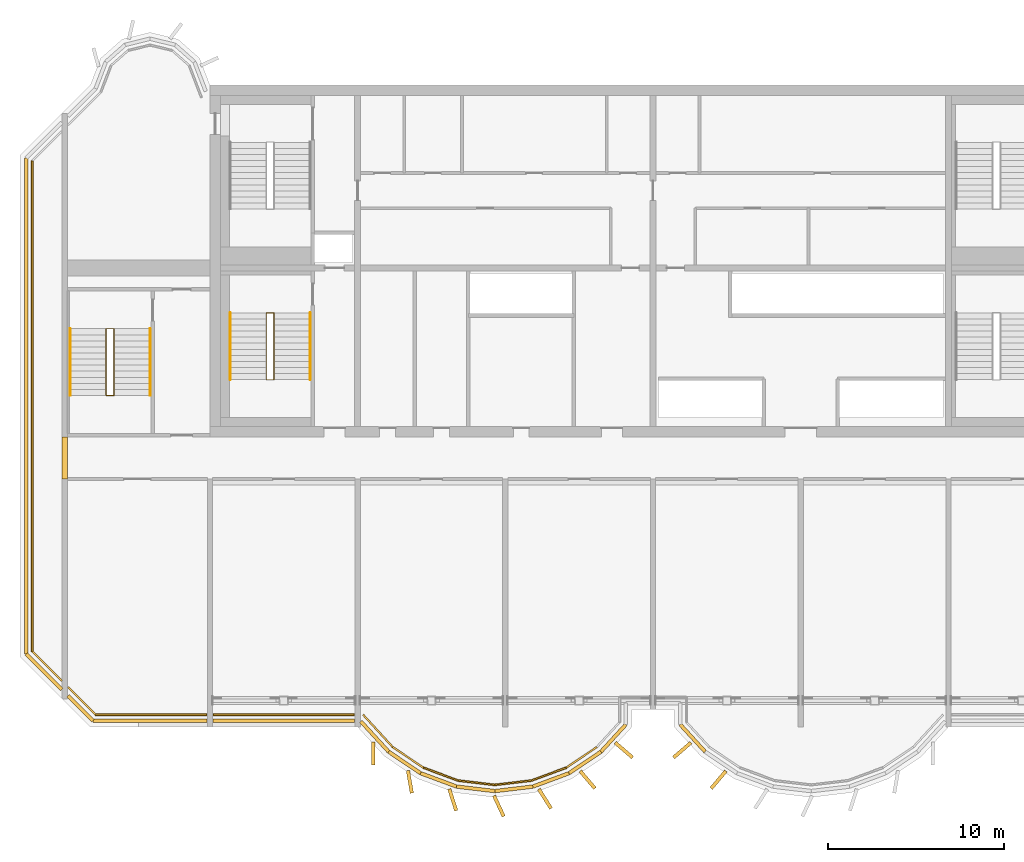
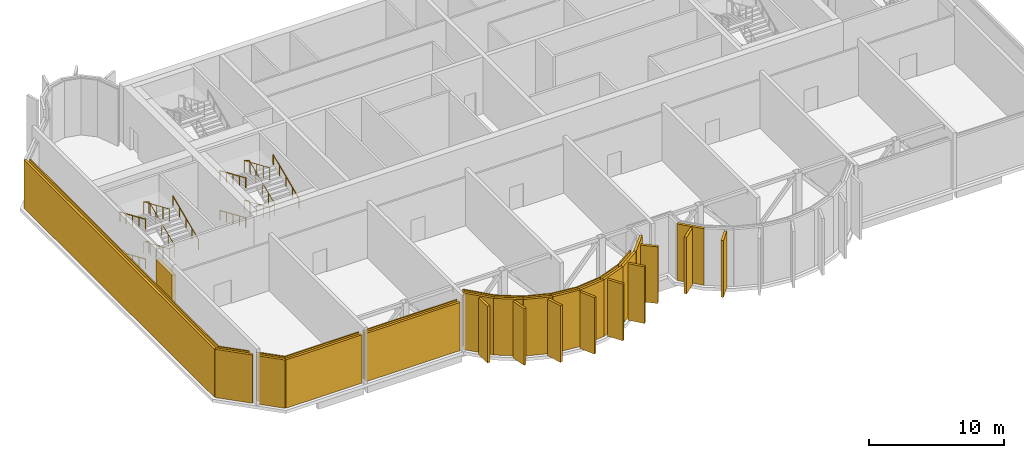
# One storey, part 8 of 11: 21 coverings, 15 shading devices, 8 railings.
"""IFC4 building model written with IfcOpenShell, lengths in metres."""

from ifc_helpers import new_model, si_unit, direction, frame, origin, origin_2d, place, context, subcontext, project, spatial, rectangle, circle, extrude, source, transform, mapped, material, layer, layer_set, material_profile, profile_set, type_object, element, save


model = new_model("IFC4")

# Units and contexts
model_context = context("Model", 3, precision=1e-05, world=origin(), true_north=direction((0.0, 1.0)))
body_context = subcontext(model_context, "Body", "Model", "MODEL_VIEW")
ifc_project = project(units=[si_unit("LENGTHUNIT", "METRE"), si_unit("AREAUNIT", "SQUARE_METRE"), si_unit("VOLUMEUNIT", "CUBIC_METRE"), si_unit("PLANEANGLEUNIT", "RADIAN"), si_unit("MASSUNIT", "GRAM", prefix="KILO")], contexts=[model_context])

# Site, building, storey
site_placement = place(None, origin())
site = spatial("IfcSite", under=ifc_project, at=site_placement, CompositionType="ELEMENT")
building_placement = place(site_placement, origin())
building = spatial("IfcBuilding", under=site, at=building_placement, Name="Vanashikhar Sky Hotel", CompositionType="ELEMENT")
storey_placement = place(building_placement, frame((0.0, 0.0, 264.699951171875)))
storey = spatial("IfcBuildingStorey", under=building, at=storey_placement, Name="L64", CompositionType="ELEMENT", Elevation=264.699951171875)

# Shading devices
ifc_material_1 = material(Name="Aluminium", Category="aluminium")
ifc_layer_1 = layer(ifc_material_1, 0.199951171875)
ifc_layer_set_1 = layer_set([ifc_layer_1], Name="Aluminium louvre band")
shading_device_type = type_object("IfcShadingDeviceType", Name="Aluminium louvre band", PredefinedType="USERDEFINED", material=ifc_layer_set_1)
shared_shape_1 = source(origin(), body_context, "Body", "SweptSolid", [
    extrude(rectangle(XDim=2.1875, YDim=0.199951171875, at=origin_2d()), origin(), (0.0, 0.0, 1.0), 5.1201171875),
])
for number, where, z_axis, x_axis, name in (
    (1, (36.2705078125, 3.482421875, 0.0), (0.0, 0.0, 1.0), (0.829583722896, -0.558382348132, 0.0), "Louvre band"),
    (2, (38.203125, 2.4912109375, 0.0), (0.0, 0.0, 1.0), (0.937537254303, -0.347884890149, 0.0), "Louvre band"),
    (3, (44.5966796875, 2.4912109375, 0.0), (0.0, 0.0, 1.0), (0.937537254303, 0.347884890149, 0.0), "Louvre band"),
    (4, (46.529541015625, 3.482421875, 0.0), (0.0, 0.0, 1.0), (0.829583722896, 0.558382348132, 0.0), "Louvre band"),
):
    element("IfcShadingDevice", number, at=place(storey_placement, frame(where, z_axis=z_axis, x_axis=x_axis)), inside=storey, type_object=shading_device_type, Name=name, ObjectType="LOUVRE", PredefinedType="USERDEFINED", context=body_context, shape_type="MappedRepresentation", body=[
        mapped(shared_shape_1, transform((0.0, 0.0, 0.0), scale=1.0)),
    ])
shared_shape_2 = source(origin(), body_context, "Body", "SweptSolid", [
    extrude(rectangle(XDim=2.1865234375, YDim=0.199951171875, at=origin_2d()), origin(), (0.0, 0.0, 1.0), 5.1201171875),
])
for number, where, z_axis, x_axis, name in (
    (5, (40.314453125, 1.9814453125, 0.0), (0.0, 0.0, 1.0), (0.993008838731, -0.118040019495, 0.0), "Louvre band"),
    (6, (42.485595703125, 1.9814453125, 0.0), (0.0, 0.0, 1.0), (0.993008838731, 0.118040019495, 0.0), "Louvre band"),
):
    element("IfcShadingDevice", number, at=place(storey_placement, frame(where, z_axis=z_axis, x_axis=x_axis)), inside=storey, type_object=shading_device_type, Name=name, ObjectType="LOUVRE", PredefinedType="USERDEFINED", context=body_context, shape_type="MappedRepresentation", body=[
        mapped(shared_shape_2, transform((0.0, 0.0, 0.0), scale=1.0)),
    ])
shared_shape_3 = source(origin(), body_context, "Body", "SweptSolid", [
    extrude(rectangle(XDim=2.09228515625, YDim=0.199951171875, at=origin_2d()), origin(), (0.0, 0.0, 1.0), 5.1201171875),
])
for number, where, z_axis, x_axis, name in (
    (7, (48.1435546875, 4.864501953125, 0.0), (0.0, 0.0, 1.0), (0.675384294604, 0.737465968437, 0.0), "Louvre band"),
    (8, (52.656494140625, 4.864501953125, 0.0), (0.0, 0.0, 1.0), (0.675384294604, -0.737465968437, 0.0), "Louvre band"),
):
    element("IfcShadingDevice", number, at=place(storey_placement, frame(where, z_axis=z_axis, x_axis=x_axis)), inside=storey, type_object=shading_device_type, Name=name, ObjectType="LOUVRE", PredefinedType="USERDEFINED", context=body_context, shape_type="MappedRepresentation", body=[
        mapped(shared_shape_3, transform((0.0, 0.0, 0.0), scale=1.0)),
    ])

# Coverings
ifc_material_2 = material(Name="Concrete M40", Category="concrete")
ifc_layer_2 = layer(ifc_material_2, 0.10009765625)
ifc_layer_set_2 = layer_set([ifc_layer_2], Name="Plant floor cladding panel")
covering_type_1 = type_object("IfcCoveringType", Name="Plant floor cladding panel", PredefinedType="CLADDING", material=ifc_layer_set_2)
shared_shape_4 = source(origin(), body_context, "Body", "SweptSolid", [
    extrude(rectangle(XDim=2.49462890625, YDim=0.10009765625, at=origin_2d()), origin(), (0.0, 0.0, 1.0), 5.1201171875),
])
covering_1_placement = place(storey_placement, frame((34.75048828125, 5.280029296875, 0.0), z_axis=(0.0, 0.0, 1.0), x_axis=(0.675384294604, -0.737465968437, 0.0)))
element("IfcCovering", 9, at=covering_1_placement, inside=storey, type_object=covering_type_1, Name="Plant floor cladding panel", PredefinedType="CLADDING", context=body_context, shape_type="MappedRepresentation", body=[
    mapped(shared_shape_4, transform((0.0, 0.0, 0.0), scale=1.0)),
])
shared_shape_5 = source(origin(), body_context, "Body", "SweptSolid", [
    extrude(rectangle(XDim=2.104248046875, YDim=0.10009765625, at=origin_2d()), origin(), (0.0, 0.0, 1.0), 5.1201171875),
])
for number, where, z_axis, x_axis, name in (
    (10, (36.4658203125, 3.772705078125, 0.0), (0.0, 0.0, 1.0), (0.829603213612, -0.558353389857, 0.0), "Plant floor cladding panel"),
    (11, (46.334228515625, 3.772705078125, 0.0), (0.0, 0.0, 1.0), (0.829603213612, 0.558353389857, 0.0), "Plant floor cladding panel"),
):
    element("IfcCovering", number, at=place(storey_placement, frame(where, z_axis=z_axis, x_axis=x_axis)), inside=storey, type_object=covering_type_1, Name=name, PredefinedType="CLADDING", context=body_context, shape_type="MappedRepresentation", body=[
        mapped(shared_shape_5, transform((0.0, 0.0, 0.0), scale=1.0)),
    ])
shared_shape_6 = source(origin(), body_context, "Body", "SweptSolid", [
    extrude(rectangle(XDim=2.10400390625, YDim=0.10009765625, at=origin_2d()), origin(), (0.0, 0.0, 1.0), 5.1201171875),
])
for number, where, z_axis, x_axis, name in (
    (12, (38.3251953125, 2.8193359375, 0.0), (0.0, 0.0, 1.0), (0.937537254303, -0.347884890149, 0.0), "Plant floor cladding panel"),
    (13, (44.474853515625, 2.8193359375, 0.0), (0.0, 0.0, 1.0), (0.937537254303, 0.347884890149, 0.0), "Plant floor cladding panel"),
):
    element("IfcCovering", number, at=place(storey_placement, frame(where, z_axis=z_axis, x_axis=x_axis)), inside=storey, type_object=covering_type_1, Name=name, PredefinedType="CLADDING", context=body_context, shape_type="MappedRepresentation", body=[
        mapped(shared_shape_6, transform((0.0, 0.0, 0.0), scale=1.0)),
    ])
shared_shape_7 = source(origin(), body_context, "Body", "SweptSolid", [
    extrude(rectangle(XDim=2.103271484375, YDim=0.10009765625, at=origin_2d()), origin(), (0.0, 0.0, 1.0), 5.1201171875),
])
for number, where, z_axis, x_axis, name in (
    (14, (40.355712890625, 2.3291015625, 0.0), (0.0, 0.0, 1.0), (0.993002656809, -0.118092013154, 0.0), "Plant floor cladding panel"),
    (15, (42.4443359375, 2.3291015625, 0.0), (0.0, 0.0, 1.0), (0.993002656809, 0.118092013154, 0.0), "Plant floor cladding panel"),
):
    element("IfcCovering", number, at=place(storey_placement, frame(where, z_axis=z_axis, x_axis=x_axis)), inside=storey, type_object=covering_type_1, Name=name, PredefinedType="CLADDING", context=body_context, shape_type="MappedRepresentation", body=[
        mapped(shared_shape_7, transform((0.0, 0.0, 0.0), scale=1.0)),
    ])
ifc_material_3 = material(Name="Concrete M60 dark", Category="concrete")
ifc_material_profile = material_profile(ifc_material_3, rectangle(XDim=1.300048828125, YDim=0.199951171875, at=origin_2d()))
ifc_profile_set = profile_set([ifc_material_profile], Name="Fin 1300 x 200")
covering_type_2 = type_object("IfcCoveringType", Name="Fin 1300 x 200", PredefinedType="CLADDING", material=ifc_profile_set)
shared_shape_8 = source(origin(), body_context, "Body", "SweptSolid", [
    extrude(rectangle(XDim=1.300048828125, YDim=0.199951171875, at=origin_2d()), origin(), (0.0, 0.0, 1.0), 5.1201171875),
])
for number, where, z_axis, x_axis, name in (
    (16, (34.482421875, 3.992919921875, 0.0), (0.0, 0.0, 1.0), (0.011588726826, -0.999932848451, 0.0), "Fin F1-1"),
    (17, (36.572509765625, 2.3779296875, 0.0), (0.0, 0.0, 1.0), (0.16989991575, -0.985461322746, 0.0), "Fin F1-2"),
    (18, (39.00830078125, 1.35693359375, 0.0), (0.0, 0.0, 1.0), (0.303966551867, -0.952682704444, 0.0), "Fin F1-3"),
    (19, (41.63232421875, 1.00146484375, 0.0), (0.0, 0.0, 1.0), (0.422618261741, -0.906307787037, 0.0), "Fin F1-4"),
    (20, (44.251953125, 1.416015625, 0.0), (0.0, 0.0, 1.0), (0.534411358496, -0.845224526331, 0.0), "Fin F1-5"),
    (21, (46.676025390625, 2.5, 0.0), (0.0, 0.0, 1.0), (0.645697609467, -0.763593214433, 0.0), "Fin F1-6"),
    (22, (48.7412109375, 4.1845703125, 0.0), (0.0, 0.0, 1.0), (0.758543912032, -0.65162192529, 0.0), "Fin F1-7"),
    (23, (52.058837890625, 4.1845703125, 0.0), (0.0, 0.0, 1.0), (-0.758543912032, -0.65162192529, 0.0), "Fin F2-1"),
    (24, (54.123779296875, 2.5, 0.0), (0.0, 0.0, 1.0), (-0.645697609467, -0.763593214433, 0.0), "Fin F2-2"),
):
    element("IfcCovering", number, at=place(storey_placement, frame(where, z_axis=z_axis, x_axis=x_axis)), inside=storey, type_object=covering_type_2, Name=name, PredefinedType="CLADDING", context=body_context, shape_type="MappedRepresentation", body=[
        mapped(shared_shape_8, transform((0.0, 0.0, 0.0), scale=1.0)),
    ])

# Shading devices
shared_shape_9 = source(origin(), body_context, "Body", "SweptSolid", [
    extrude(rectangle(XDim=8.0400390625, YDim=0.199951171875, at=origin_2d()), origin(), (0.0, 0.0, 1.0), 4.3701171875),
])
shading_device_1_placement = place(storey_placement, frame((29.39990234375, 5.85009765625, 0.0), z_axis=(0.0, 0.0, 1.0), x_axis=(1.0, 0.0, 0.0)))
element("IfcShadingDevice", 25, at=shading_device_1_placement, inside=storey, type_object=shading_device_type, Name="Louvre band", ObjectType="LOUVRE", PredefinedType="USERDEFINED", context=body_context, shape_type="MappedRepresentation", body=[
    mapped(shared_shape_9, transform((0.0, 0.0, 0.0), scale=1.0)),
])
shared_shape_10 = source(origin(), body_context, "Body", "SweptSolid", [
    extrude(rectangle(XDim=2.343994140625, YDim=0.199951171875, at=origin_2d()), origin(), (0.0, 0.0, 1.0), 5.1201171875),
])
shading_device_2_placement = place(storey_placement, frame((34.571533203125, 4.95751953125, 0.0), z_axis=(0.0, 0.0, 1.0), x_axis=(0.675358551774, -0.737489543347, 0.0)))
element("IfcShadingDevice", 26, at=shading_device_2_placement, inside=storey, type_object=shading_device_type, Name="Louvre band", ObjectType="LOUVRE", PredefinedType="USERDEFINED", context=body_context, shape_type="MappedRepresentation", body=[
    mapped(shared_shape_10, transform((0.0, 0.0, 0.0), scale=1.0)),
])

# Covering
shared_shape_11 = source(origin(), body_context, "Body", "SweptSolid", [
    extrude(rectangle(XDim=8.0400390625, YDim=0.10009765625, at=origin_2d()), origin(), (0.0, 0.0, 1.0), 4.3701171875),
])
covering_2_placement = place(storey_placement, frame((29.39990234375, 6.199951171875, 0.0), z_axis=(0.0, 0.0, 1.0), x_axis=(1.0, 0.0, 0.0)))
element("IfcCovering", 27, at=covering_2_placement, inside=storey, type_object=covering_type_1, Name="Plant floor cladding panel", PredefinedType="CLADDING", context=body_context, shape_type="MappedRepresentation", body=[
    mapped(shared_shape_11, transform((0.0, 0.0, 0.0), scale=1.0)),
])

# Shading devices
shared_shape_12 = source(origin(), body_context, "Body", "SweptSolid", [
    extrude(rectangle(XDim=0.300048828125, YDim=2.39990234375, at=origin_2d()), origin(), (0.0, 0.0, 1.0), 4.219970703125),
])
shading_device_3_placement = place(storey_placement, frame((16.949951171875, 20.800048828125, 0.0), z_axis=(0.0, 0.0, 1.0), x_axis=(1.0, 0.0, 0.0)))
element("IfcShadingDevice", 28, at=shading_device_3_placement, inside=storey, type_object=shading_device_type, Name="Louvre band", ObjectType="LOUVRE", PredefinedType="USERDEFINED", context=body_context, shape_type="MappedRepresentation", body=[
    mapped(shared_shape_12, transform((0.0, 0.0, 0.0), scale=1.0)),
])
shared_shape_13 = source(origin(), body_context, "Body", "SweptSolid", [
    extrude(rectangle(XDim=6.47509765625, YDim=0.199951171875, at=origin_2d()), origin(), (0.0, 0.0, 1.0), 4.3701171875),
])
shading_device_4_placement = place(storey_placement, frame((21.782470703125, 5.85009765625, 0.0), z_axis=(0.0, 0.0, 1.0), x_axis=(1.0, 0.0, 0.0)))
element("IfcShadingDevice", 29, at=shading_device_4_placement, inside=storey, type_object=shading_device_type, Name="Louvre band", ObjectType="LOUVRE", PredefinedType="USERDEFINED", context=body_context, shape_type="MappedRepresentation", body=[
    mapped(shared_shape_13, transform((0.0, 0.0, 0.0), scale=1.0)),
])
shared_shape_14 = source(origin(), body_context, "Body", "SweptSolid", [
    extrude(rectangle(XDim=2.001220703125, YDim=0.199951171875, at=origin_2d()), origin(), (0.0, 0.0, 1.0), 4.3701171875),
])
shading_device_5_placement = place(storey_placement, frame((17.83740234375, 6.5576171875, 0.0), z_axis=(0.0, 0.0, 1.0), x_axis=(0.707106781187, -0.707106781187, 0.0)))
element("IfcShadingDevice", 30, at=shading_device_5_placement, inside=storey, type_object=shading_device_type, Name="Louvre band", ObjectType="LOUVRE", PredefinedType="USERDEFINED", context=body_context, shape_type="MappedRepresentation", body=[
    mapped(shared_shape_14, transform((0.0, 0.0, 0.0), scale=1.0)),
])
shared_shape_15 = source(origin(), body_context, "Body", "SweptSolid", [
    extrude(rectangle(XDim=2.856689453125, YDim=0.199951171875, at=origin_2d()), origin(), (0.0, 0.0, 1.0), 4.3701171875),
])
shading_device_6_placement = place(storey_placement, frame((15.760009765625, 8.635009765625, 0.0), z_axis=(0.0, 0.0, 1.0), x_axis=(0.707106781187, -0.707106781187, 0.0)))
element("IfcShadingDevice", 31, at=shading_device_6_placement, inside=storey, type_object=shading_device_type, Name="Louvre band", ObjectType="LOUVRE", PredefinedType="USERDEFINED", context=body_context, shape_type="MappedRepresentation", body=[
    mapped(shared_shape_15, transform((0.0, 0.0, 0.0), scale=1.0)),
])
shared_shape_16 = source(origin(), body_context, "Body", "SweptSolid", [
    extrude(rectangle(XDim=28.2099609375, YDim=0.199951171875, at=origin_2d()), origin(), (0.0, 0.0, 1.0), 4.3701171875),
])
shading_device_7_placement = place(storey_placement, frame((14.75, 23.75, 0.0), z_axis=(0.0, 0.0, 1.0), x_axis=(0.0, -1.0, 0.0)))
element("IfcShadingDevice", 32, at=shading_device_7_placement, inside=storey, type_object=shading_device_type, Name="Louvre band", ObjectType="LOUVRE", PredefinedType="USERDEFINED", context=body_context, shape_type="MappedRepresentation", body=[
    mapped(shared_shape_16, transform((0.0, 0.0, 0.0), scale=1.0)),
])

# Coverings
shared_shape_17 = source(origin(), body_context, "Body", "SweptSolid", [
    extrude(rectangle(XDim=6.330078125, YDim=0.10009765625, at=origin_2d()), origin(), (0.0, 0.0, 1.0), 4.3701171875),
])
covering_3_placement = place(storey_placement, frame((21.85498046875, 6.199951171875, 0.0), z_axis=(0.0, 0.0, 1.0), x_axis=(1.0, 0.0, 0.0)))
element("IfcCovering", 33, at=covering_3_placement, inside=storey, type_object=covering_type_1, Name="Plant floor cladding panel", PredefinedType="CLADDING", context=body_context, shape_type="MappedRepresentation", body=[
    mapped(shared_shape_17, transform((0.0, 0.0, 0.0), scale=1.0)),
])
shared_shape_18 = source(origin(), body_context, "Body", "SweptSolid", [
    extrude(rectangle(XDim=2.2060546875, YDim=0.10009765625, at=origin_2d()), origin(), (0.0, 0.0, 1.0), 4.3701171875),
])
covering_4_placement = place(storey_placement, frame((17.909912109375, 6.97998046875, 0.0), z_axis=(0.0, 0.0, 1.0), x_axis=(0.707106781187, -0.707106781187, 0.0)))
element("IfcCovering", 34, at=covering_4_placement, inside=storey, type_object=covering_type_1, Name="Plant floor cladding panel", PredefinedType="CLADDING", context=body_context, shape_type="MappedRepresentation", body=[
    mapped(shared_shape_18, transform((0.0, 0.0, 0.0), scale=1.0)),
])
shared_shape_19 = source(origin(), body_context, "Body", "SweptSolid", [
    extrude(rectangle(XDim=2.36181640625, YDim=0.10009765625, at=origin_2d()), origin(), (0.0, 0.0, 1.0), 4.3701171875),
])
covering_5_placement = place(storey_placement, frame((15.93505859375, 8.954833984375, 0.0), z_axis=(0.0, 0.0, 1.0), x_axis=(0.707106781187, -0.707106781187, 0.0)))
element("IfcCovering", 35, at=covering_5_placement, inside=storey, type_object=covering_type_1, Name="Plant floor cladding panel", PredefinedType="CLADDING", context=body_context, shape_type="MappedRepresentation", body=[
    mapped(shared_shape_19, transform((0.0, 0.0, 0.0), scale=1.0)),
])
shared_shape_20 = source(origin(), body_context, "Body", "SweptSolid", [
    extrude(rectangle(XDim=27.920166015625, YDim=0.10009765625, at=origin_2d()), origin(), (0.0, 0.0, 1.0), 4.3701171875),
])
covering_6_placement = place(storey_placement, frame((15.10009765625, 23.75, 0.0), z_axis=(0.0, 0.0, 1.0), x_axis=(0.0, -1.0, 0.0)))
element("IfcCovering", 36, at=covering_6_placement, inside=storey, type_object=covering_type_1, Name="Plant floor cladding panel", PredefinedType="CLADDING", context=body_context, shape_type="MappedRepresentation", body=[
    mapped(shared_shape_20, transform((0.0, 0.0, 0.0), scale=1.0)),
])

# Railings
ifc_material_4 = material(Name="Steel S355", Category="steel")
railing_type_1 = type_object("IfcRailingType", Name="Stair handrail 900", PredefinedType="HANDRAIL", material=ifc_material_4)
shared_shape_21 = source(origin(), body_context, "Body", "SweptSolid", [
    extrude(circle(Radius=0.02392578125, at=origin_2d()), frame((0.0, 0.0, 0.8759765625), z_axis=(0.0, -0.917250781605, 0.398310185215), x_axis=(1.0, 0.0, 0.0)), (0.0, 0.0, 1.0), 4.142822265625),
    extrude(circle(Radius=0.02099609375, at=origin_2d()), origin(), (0.0, 0.0, 1.0), 0.851806640625),
    extrude(circle(Radius=0.02099609375, at=origin_2d()), frame((0.0, -0.949951171875, 0.41259765625)), (0.0, 0.0, 1.0), 0.851806640625),
    extrude(circle(Radius=0.02099609375, at=origin_2d()), frame((0.0, -1.89990234375, 0.8251953125)), (0.0, 0.0, 1.0), 0.851806640625),
    extrude(circle(Radius=0.02099609375, at=origin_2d()), frame((0.0, -2.85009765625, 1.237548828125)), (0.0, 0.0, 1.0), 0.851806640625),
    extrude(circle(Radius=0.02099609375, at=origin_2d()), frame((0.0, -3.800048828125, 1.650146484375)), (0.0, 0.0, 1.0), 0.851806640625),
])
railing_1_placement = place(storey_placement, frame((26.35009765625, 29.050048828125, 3.75)))
element("IfcRailing", 37, at=railing_1_placement, inside=storey, type_object=railing_type_1, Name="Exit stair 1 handrail", PredefinedType="HANDRAIL", context=body_context, shape_type="MappedRepresentation", body=[
    mapped(shared_shape_21, transform((0.0, 0.0, 0.0), scale=1.0)),
])
shared_shape_22 = source(origin(), body_context, "Body", "SweptSolid", [
    extrude(circle(Radius=0.02392578125, at=origin_2d()), frame((0.0, 0.0, 0.8759765625), z_axis=(0.0, 0.917250781605, 0.398310185215), x_axis=(-1.0, 0.0, 0.0)), (0.0, 0.0, 1.0), 4.142822265625),
    extrude(circle(Radius=0.02099609375, at=origin_2d()), origin(), (0.0, 0.0, 1.0), 0.851806640625),
    extrude(circle(Radius=0.02099609375, at=origin_2d()), frame((0.0, 0.949951171875, 0.41259765625)), (0.0, 0.0, 1.0), 0.851806640625),
    extrude(circle(Radius=0.02099609375, at=origin_2d()), frame((0.0, 1.89990234375, 0.8251953125)), (0.0, 0.0, 1.0), 0.851806640625),
    extrude(circle(Radius=0.02099609375, at=origin_2d()), frame((0.0, 2.85009765625, 1.237548828125)), (0.0, 0.0, 1.0), 0.851806640625),
    extrude(circle(Radius=0.02099609375, at=origin_2d()), frame((0.0, 3.800048828125, 1.650146484375)), (0.0, 0.0, 1.0), 0.851806640625),
])
railing_2_placement = place(storey_placement, frame((30.89990234375, 25.25, 1.949951171875)))
element("IfcRailing", 38, at=railing_2_placement, inside=storey, type_object=railing_type_1, Name="Exit stair 1 handrail", PredefinedType="HANDRAIL", context=body_context, shape_type="MappedRepresentation", body=[
    mapped(shared_shape_22, transform((0.0, 0.0, 0.0), scale=1.0)),
])
shared_shape_23 = source(origin(), body_context, "Body", "SweptSolid", [
    extrude(circle(Radius=0.02392578125, at=origin_2d()), frame((0.0, 0.0, 0.8759765625), z_axis=(0.0, -0.91727231099, 0.398260602484), x_axis=(1.0, 0.0, 0.0)), (0.0, 0.0, 1.0), 4.142822265625),
    extrude(circle(Radius=0.02099609375, at=origin_2d()), origin(), (0.0, 0.0, 1.0), 0.851806640625),
    extrude(circle(Radius=0.02099609375, at=origin_2d()), frame((0.0, -0.949951171875, 0.41259765625)), (0.0, 0.0, 1.0), 0.851806640625),
    extrude(circle(Radius=0.02099609375, at=origin_2d()), frame((0.0, -1.89990234375, 0.824951171875)), (0.0, 0.0, 1.0), 0.851806640625),
    extrude(circle(Radius=0.02099609375, at=origin_2d()), frame((0.0, -2.85009765625, 1.2373046875)), (0.0, 0.0, 1.0), 0.851806640625),
    extrude(circle(Radius=0.02099609375, at=origin_2d()), frame((0.0, -3.800048828125, 1.64990234375)), (0.0, 0.0, 1.0), 0.851806640625),
])
railing_3_placement = place(storey_placement, frame((26.35009765625, 29.050048828125, 0.150146484375)))
element("IfcRailing", 39, at=railing_3_placement, inside=storey, type_object=railing_type_1, Name="Exit stair 1 handrail", PredefinedType="HANDRAIL", context=body_context, shape_type="MappedRepresentation", body=[
    mapped(shared_shape_23, transform((0.0, 0.0, 0.0), scale=1.0)),
])
railing_type_2 = type_object("IfcRailingType", Name="Stair guard 1100", PredefinedType="GUARDRAIL", material=ifc_material_4)
shared_shape_24 = source(origin(), body_context, "Body", "SweptSolid", [
    extrude(circle(Radius=0.02392578125, at=origin_2d()), frame((0.0, 0.0, 1.076171875), z_axis=(-0.948631841254, 0.0, 0.316382094561), x_axis=(0.0, -1.0, 0.0)), (0.0, 0.0, 1.0), 0.474609375),
    extrude(circle(Radius=0.02392578125, at=origin_2d()), frame((-0.4501953125, 0.0, 1.22607421875), z_axis=(0.0, -0.91727231099, 0.398260602484), x_axis=(1.0, 0.0, 0.0)), (0.0, 0.0, 1.0), 4.142822265625),
    extrude(circle(Radius=0.02392578125, at=origin_2d()), frame((-0.4501953125, -3.800048828125, 2.8759765625), z_axis=(0.948786153043, 0.0, 0.315919033605), x_axis=(0.0, 1.0, 0.0)), (0.0, 0.0, 1.0), 0.474609375),
    extrude(circle(Radius=0.02392578125, at=origin_2d()), frame((0.0, -3.800048828125, 3.02587890625), z_axis=(0.0, 0.917250781605, 0.398310185215), x_axis=(-1.0, 0.0, 0.0)), (0.0, 0.0, 1.0), 4.142822265625),
    extrude(circle(Radius=0.02392578125, at=origin_2d()), frame((0.0, 0.0, 4.67626953125), z_axis=(-0.948786153043, 0.0, 0.315919033605), x_axis=(0.0, -1.0, 0.0)), (0.0, 0.0, 1.0), 0.474609375),
    extrude(circle(Radius=0.02392578125, at=origin_2d()), frame((-0.4501953125, 0.0, 4.826171875), z_axis=(0.0, -0.917250781605, 0.398310185215), x_axis=(1.0, 0.0, 0.0)), (0.0, 0.0, 1.0), 4.142822265625),
    extrude(circle(Radius=0.02099609375, at=origin_2d()), origin(), (0.0, 0.0, 1.0), 1.052001953125),
    extrude(circle(Radius=0.02099609375, at=origin_2d()), frame((-0.4501953125, 0.0, 0.150146484375)), (0.0, 0.0, 1.0), 1.052001953125),
    extrude(circle(Radius=0.02099609375, at=origin_2d()), frame((-0.4501953125, -0.949951171875, 0.5625)), (0.0, 0.0, 1.0), 1.052001953125),
    extrude(circle(Radius=0.02099609375, at=origin_2d()), frame((-0.4501953125, -1.89990234375, 0.97509765625)), (0.0, 0.0, 1.0), 1.052001953125),
    extrude(circle(Radius=0.02099609375, at=origin_2d()), frame((-0.4501953125, -2.85009765625, 1.3876953125)), (0.0, 0.0, 1.0), 1.052001953125),
    extrude(circle(Radius=0.02099609375, at=origin_2d()), frame((-0.4501953125, -3.800048828125, 1.800048828125)), (0.0, 0.0, 1.0), 1.052001953125),
    extrude(circle(Radius=0.02099609375, at=origin_2d()), frame((0.0, -3.800048828125, 1.949951171875)), (0.0, 0.0, 1.0), 1.052001953125),
    extrude(circle(Radius=0.02099609375, at=origin_2d()), frame((0.0, -2.85009765625, 2.362548828125)), (0.0, 0.0, 1.0), 1.052001953125),
    extrude(circle(Radius=0.02099609375, at=origin_2d()), frame((0.0, -1.89990234375, 2.77490234375)), (0.0, 0.0, 1.0), 1.052001953125),
    extrude(circle(Radius=0.02099609375, at=origin_2d()), frame((0.0, -0.949951171875, 3.1875)), (0.0, 0.0, 1.0), 1.052001953125),
    extrude(circle(Radius=0.02099609375, at=origin_2d()), frame((0.0, 0.0, 3.60009765625)), (0.0, 0.0, 1.0), 1.052001953125),
    extrude(circle(Radius=0.02099609375, at=origin_2d()), frame((-0.4501953125, 0.0, 3.75)), (0.0, 0.0, 1.0), 1.052001953125),
    extrude(circle(Radius=0.02099609375, at=origin_2d()), frame((-0.4501953125, -0.949951171875, 4.16259765625)), (0.0, 0.0, 1.0), 1.052001953125),
    extrude(circle(Radius=0.02099609375, at=origin_2d()), frame((-0.4501953125, -1.89990234375, 4.5751953125)), (0.0, 0.0, 1.0), 1.052001953125),
    extrude(circle(Radius=0.02099609375, at=origin_2d()), frame((-0.4501953125, -2.85009765625, 4.987548828125)), (0.0, 0.0, 1.0), 1.052001953125),
    extrude(circle(Radius=0.02099609375, at=origin_2d()), frame((-0.4501953125, -3.800048828125, 5.400146484375)), (0.0, 0.0, 1.0), 1.052001953125),
])
railing_4_placement = place(storey_placement, frame((28.85009765625, 29.050048828125, 0.0)))
element("IfcRailing", 40, at=railing_4_placement, inside=storey, type_object=railing_type_2, Name="Exit stair 1 guard", PredefinedType="GUARDRAIL", context=body_context, shape_type="MappedRepresentation", body=[
    mapped(shared_shape_24, transform((0.0, 0.0, 0.0), scale=1.0)),
])
shared_shape_25 = source(origin(), body_context, "Body", "SweptSolid", [
    extrude(circle(Radius=0.02392578125, at=origin_2d()), frame((0.0, 0.0, 0.8759765625), z_axis=(0.0, -0.917241431489, 0.398331716489), x_axis=(1.0, 0.0, 0.0)), (0.0, 0.0, 1.0), 4.142578125),
    extrude(circle(Radius=0.02099609375, at=origin_2d()), origin(), (0.0, 0.0, 1.0), 0.851806640625),
    extrude(circle(Radius=0.02099609375, at=origin_2d()), frame((0.0, -0.949951171875, 0.41259765625)), (0.0, 0.0, 1.0), 0.851806640625),
    extrude(circle(Radius=0.02099609375, at=origin_2d()), frame((0.0, -1.89990234375, 0.8251953125)), (0.0, 0.0, 1.0), 0.851806640625),
    extrude(circle(Radius=0.02099609375, at=origin_2d()), frame((0.0, -2.849853515625, 1.237548828125)), (0.0, 0.0, 1.0), 0.851806640625),
    extrude(circle(Radius=0.02099609375, at=origin_2d()), frame((0.0, -3.7998046875, 1.650146484375)), (0.0, 0.0, 1.0), 0.851806640625),
])
railing_5_placement = place(storey_placement, frame((17.25, 28.14990234375, 3.75)))
element("IfcRailing", 41, at=railing_5_placement, inside=storey, type_object=railing_type_1, Name="Exit stair 3 handrail", PredefinedType="HANDRAIL", context=body_context, shape_type="MappedRepresentation", body=[
    mapped(shared_shape_25, transform((0.0, 0.0, 0.0), scale=1.0)),
])
shared_shape_26 = source(origin(), body_context, "Body", "SweptSolid", [
    extrude(circle(Radius=0.02392578125, at=origin_2d()), frame((0.0, 0.0, 0.8759765625), z_axis=(0.0, 0.917241431489, 0.398331716489), x_axis=(-1.0, 0.0, 0.0)), (0.0, 0.0, 1.0), 4.142578125),
    extrude(circle(Radius=0.02099609375, at=origin_2d()), origin(), (0.0, 0.0, 1.0), 0.851806640625),
    extrude(circle(Radius=0.02099609375, at=origin_2d()), frame((0.0, 0.949951171875, 0.41259765625)), (0.0, 0.0, 1.0), 0.851806640625),
    extrude(circle(Radius=0.02099609375, at=origin_2d()), frame((0.0, 1.89990234375, 0.8251953125)), (0.0, 0.0, 1.0), 0.851806640625),
    extrude(circle(Radius=0.02099609375, at=origin_2d()), frame((0.0, 2.849853515625, 1.237548828125)), (0.0, 0.0, 1.0), 0.851806640625),
    extrude(circle(Radius=0.02099609375, at=origin_2d()), frame((0.0, 3.7998046875, 1.650146484375)), (0.0, 0.0, 1.0), 0.851806640625),
])
railing_6_placement = place(storey_placement, frame((21.800048828125, 24.35009765625, 1.949951171875)))
element("IfcRailing", 42, at=railing_6_placement, inside=storey, type_object=railing_type_1, Name="Exit stair 3 handrail", PredefinedType="HANDRAIL", context=body_context, shape_type="MappedRepresentation", body=[
    mapped(shared_shape_26, transform((0.0, 0.0, 0.0), scale=1.0)),
])
shared_shape_27 = source(origin(), body_context, "Body", "SweptSolid", [
    extrude(circle(Radius=0.02392578125, at=origin_2d()), frame((0.0, 0.0, 0.8759765625), z_axis=(0.0, -0.917262962982, 0.398282132089), x_axis=(1.0, 0.0, 0.0)), (0.0, 0.0, 1.0), 4.142578125),
    extrude(circle(Radius=0.02099609375, at=origin_2d()), origin(), (0.0, 0.0, 1.0), 0.851806640625),
    extrude(circle(Radius=0.02099609375, at=origin_2d()), frame((0.0, -0.949951171875, 0.41259765625)), (0.0, 0.0, 1.0), 0.851806640625),
    extrude(circle(Radius=0.02099609375, at=origin_2d()), frame((0.0, -1.89990234375, 0.824951171875)), (0.0, 0.0, 1.0), 0.851806640625),
    extrude(circle(Radius=0.02099609375, at=origin_2d()), frame((0.0, -2.849853515625, 1.2373046875)), (0.0, 0.0, 1.0), 0.851806640625),
    extrude(circle(Radius=0.02099609375, at=origin_2d()), frame((0.0, -3.7998046875, 1.64990234375)), (0.0, 0.0, 1.0), 0.851806640625),
])
railing_7_placement = place(storey_placement, frame((17.25, 28.14990234375, 0.150146484375)))
element("IfcRailing", 43, at=railing_7_placement, inside=storey, type_object=railing_type_1, Name="Exit stair 3 handrail", PredefinedType="HANDRAIL", context=body_context, shape_type="MappedRepresentation", body=[
    mapped(shared_shape_27, transform((0.0, 0.0, 0.0), scale=1.0)),
])
shared_shape_28 = source(origin(), body_context, "Body", "SweptSolid", [
    extrude(circle(Radius=0.02392578125, at=origin_2d()), frame((0.0, 0.0, 1.076171875), z_axis=(-0.948580309067, 0.0, 0.316536565424), x_axis=(0.0, -1.0, 0.0)), (0.0, 0.0, 1.0), 0.474365234375),
    extrude(circle(Radius=0.02392578125, at=origin_2d()), frame((-0.449951171875, 0.0, 1.22607421875), z_axis=(0.0, -0.917262962982, 0.398282132089), x_axis=(1.0, 0.0, 0.0)), (0.0, 0.0, 1.0), 4.142578125),
    extrude(circle(Radius=0.02392578125, at=origin_2d()), frame((-0.449951171875, -3.7998046875, 2.8759765625), z_axis=(0.948734763221, 0.0, 0.316073328604), x_axis=(0.0, 1.0, 0.0)), (0.0, 0.0, 1.0), 0.474365234375),
    extrude(circle(Radius=0.02392578125, at=origin_2d()), frame((0.0, -3.7998046875, 3.02587890625), z_axis=(0.0, 0.917241431489, 0.398331716489), x_axis=(-1.0, 0.0, 0.0)), (0.0, 0.0, 1.0), 4.142578125),
    extrude(circle(Radius=0.02392578125, at=origin_2d()), frame((0.0, 0.0, 4.67626953125), z_axis=(-0.948734763221, 0.0, 0.316073328604), x_axis=(0.0, -1.0, 0.0)), (0.0, 0.0, 1.0), 0.474365234375),
    extrude(circle(Radius=0.02392578125, at=origin_2d()), frame((-0.449951171875, 0.0, 4.826171875), z_axis=(0.0, -0.917241431489, 0.398331716489), x_axis=(1.0, 0.0, 0.0)), (0.0, 0.0, 1.0), 4.142578125),
    extrude(circle(Radius=0.02099609375, at=origin_2d()), origin(), (0.0, 0.0, 1.0), 1.052001953125),
    extrude(circle(Radius=0.02099609375, at=origin_2d()), frame((-0.449951171875, 0.0, 0.150146484375)), (0.0, 0.0, 1.0), 1.052001953125),
    extrude(circle(Radius=0.02099609375, at=origin_2d()), frame((-0.449951171875, -0.949951171875, 0.5625)), (0.0, 0.0, 1.0), 1.052001953125),
    extrude(circle(Radius=0.02099609375, at=origin_2d()), frame((-0.449951171875, -1.89990234375, 0.97509765625)), (0.0, 0.0, 1.0), 1.052001953125),
    extrude(circle(Radius=0.02099609375, at=origin_2d()), frame((-0.449951171875, -2.849853515625, 1.3876953125)), (0.0, 0.0, 1.0), 1.052001953125),
    extrude(circle(Radius=0.02099609375, at=origin_2d()), frame((-0.449951171875, -3.7998046875, 1.800048828125)), (0.0, 0.0, 1.0), 1.052001953125),
    extrude(circle(Radius=0.02099609375, at=origin_2d()), frame((0.0, -3.7998046875, 1.949951171875)), (0.0, 0.0, 1.0), 1.052001953125),
    extrude(circle(Radius=0.02099609375, at=origin_2d()), frame((0.0, -2.849853515625, 2.362548828125)), (0.0, 0.0, 1.0), 1.052001953125),
    extrude(circle(Radius=0.02099609375, at=origin_2d()), frame((0.0, -1.89990234375, 2.77490234375)), (0.0, 0.0, 1.0), 1.052001953125),
    extrude(circle(Radius=0.02099609375, at=origin_2d()), frame((0.0, -0.949951171875, 3.1875)), (0.0, 0.0, 1.0), 1.052001953125),
    extrude(circle(Radius=0.02099609375, at=origin_2d()), frame((0.0, 0.0, 3.60009765625)), (0.0, 0.0, 1.0), 1.052001953125),
    extrude(circle(Radius=0.02099609375, at=origin_2d()), frame((-0.449951171875, 0.0, 3.75)), (0.0, 0.0, 1.0), 1.052001953125),
    extrude(circle(Radius=0.02099609375, at=origin_2d()), frame((-0.449951171875, -0.949951171875, 4.16259765625)), (0.0, 0.0, 1.0), 1.052001953125),
    extrude(circle(Radius=0.02099609375, at=origin_2d()), frame((-0.449951171875, -1.89990234375, 4.5751953125)), (0.0, 0.0, 1.0), 1.052001953125),
    extrude(circle(Radius=0.02099609375, at=origin_2d()), frame((-0.449951171875, -2.849853515625, 4.987548828125)), (0.0, 0.0, 1.0), 1.052001953125),
    extrude(circle(Radius=0.02099609375, at=origin_2d()), frame((-0.449951171875, -3.7998046875, 5.400146484375)), (0.0, 0.0, 1.0), 1.052001953125),
])
railing_8_placement = place(storey_placement, frame((19.75, 28.14990234375, 0.0)))
element("IfcRailing", 44, at=railing_8_placement, inside=storey, type_object=railing_type_2, Name="Exit stair 3 guard", PredefinedType="GUARDRAIL", context=body_context, shape_type="MappedRepresentation", body=[
    mapped(shared_shape_28, transform((0.0, 0.0, 0.0), scale=1.0)),
])

save(model, "model.ifc")
